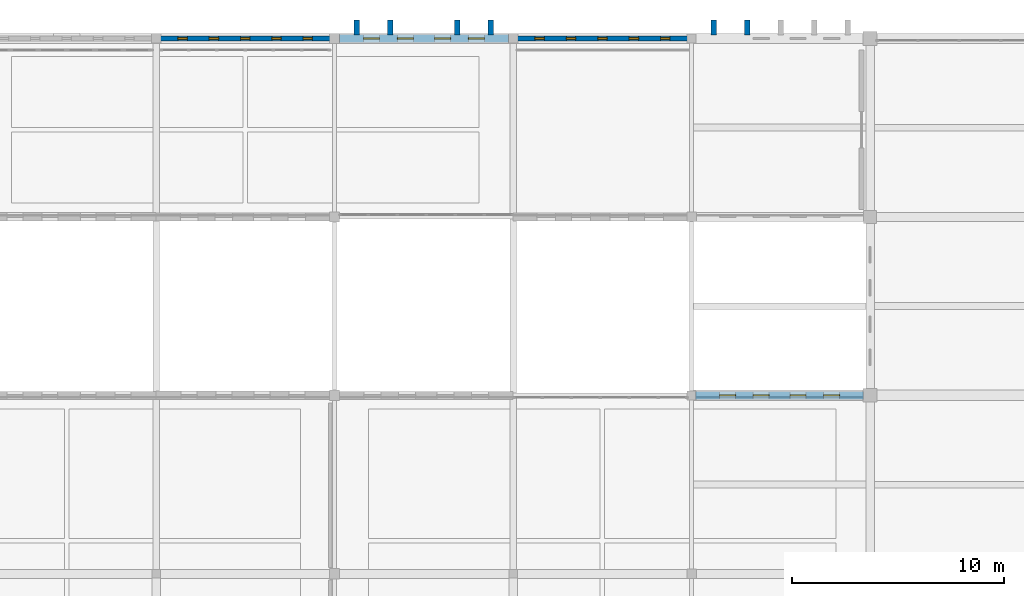
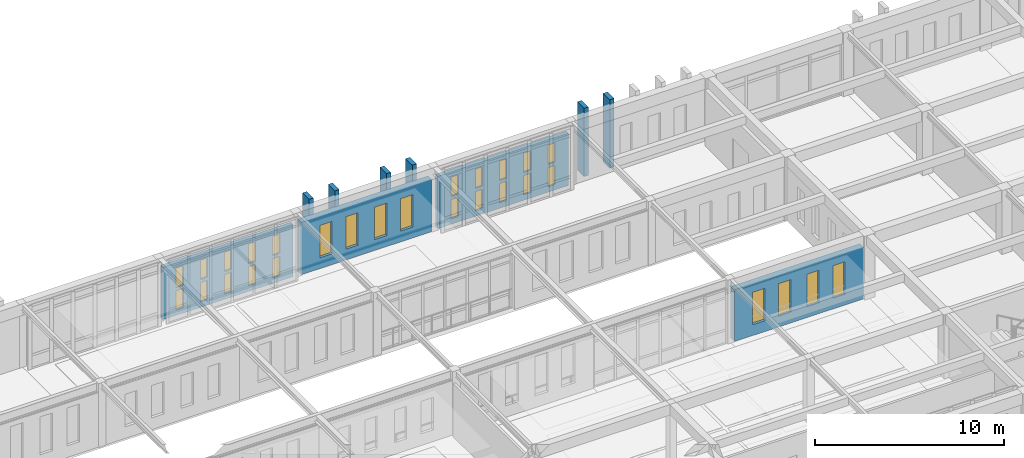
# One storey, part 173 of 192: 28 windows, 10 walls, 28 openings.
"""IFC4 building model written with IfcOpenShell, lengths in metres."""

from ifc_helpers import new_model, si_unit, direction, frame, frame_2d, origin, place, context, subcontext, project, spatial, rectangle, extrude, material, layer, layer_set, type_object, element, fill, save


model = new_model("IFC4")

# Units and contexts
model_context = context("Model", 3, precision=1e-05, world=origin(), true_north=direction((0.0, 1.0)))
body_context = subcontext(model_context, "Body", "Model", "MODEL_VIEW")
ifc_project = project(units=[si_unit("LENGTHUNIT", "METRE"), si_unit("AREAUNIT", "SQUARE_METRE"), si_unit("VOLUMEUNIT", "CUBIC_METRE"), si_unit("PLANEANGLEUNIT", "RADIAN"), si_unit("MASSUNIT", "GRAM", prefix="KILO")], contexts=[model_context])

# Site, building, storey
site_placement = place(None, origin())
site = spatial("IfcSite", under=ifc_project, at=site_placement, CompositionType="ELEMENT")
building_placement = place(site_placement, origin())
building = spatial("IfcBuilding", under=site, at=building_placement, Name="Kveldsbrygga Polytechnic", CompositionType="ELEMENT")
storey_placement = place(building_placement, frame((0.0, 0.0, 5.43994140625)))
storey = spatial("IfcBuildingStorey", under=building, at=storey_placement, Name="L01", CompositionType="ELEMENT", Elevation=5.43994140625)

# Wall, openings, windows
ifc_material_1 = material(Name="Fired clay brick masonry M10", Category="masonry")
ifc_layer_1 = layer(ifc_material_1, 0.3798828125)
ifc_layer_set_1 = layer_set([ifc_layer_1], Name="Fired clay brick masonry M10")
wall_type_1 = type_object("IfcWallType", Name="EW-BRICK-380", PredefinedType="SOLIDWALL", material=ifc_layer_set_1)
wall_1_placement = place(storey_placement, frame((75.824951171875, 117.60009765625, 0.0), z_axis=(0.0, 0.0, 1.0), x_axis=(1.0, 0.0, 0.0)))
wall_1 = element("IfcWall", 1, at=wall_1_placement, inside=storey, type_object=wall_type_1, Name="Exterior Brick Wall EW-L01-X-09-14", PredefinedType="SOLIDWALL", context=body_context, shape_type="SweptSolid", body=[
    extrude(rectangle(XDim=7.965087890625, YDim=0.3798828125, at=frame_2d((3.982421875, 0.0))), origin(), (0.0, 0.0, 1.0), 3.380126953125),
])
opening_1_placement = place(wall_1_placement, frame((1.138427734375, 0.0, 0.699951171875)))
opening_1 = element("IfcOpeningElement", 2, at=opening_1_placement, cuts=wall_1, Name="Opening W-27", PredefinedType="OPENING", context=body_context, shape_type="SweptSolid", body=[
    extrude(rectangle(XDim=0.75, YDim=2.10009765625, at=frame_2d((0.375, 1.050048828125))), frame((0.0, 0.199951171875, 0.0), z_axis=(0.0, -1.0, 0.0), x_axis=(1.0, 0.0, 0.0)), (0.0, 0.0, 1.0), 0.39990234375),
])
opening_2_placement = place(wall_1_placement, frame((2.7314453125, 0.0, 0.699951171875)))
opening_2 = element("IfcOpeningElement", 3, at=opening_2_placement, cuts=wall_1, Name="Opening W-27", PredefinedType="OPENING", context=body_context, shape_type="SweptSolid", body=[
    extrude(rectangle(XDim=0.75, YDim=2.10009765625, at=frame_2d((0.375, 1.050048828125))), frame((0.0, 0.199951171875, 0.0), z_axis=(0.0, -1.0, 0.0), x_axis=(1.0, 0.0, 0.0)), (0.0, 0.0, 1.0), 0.39990234375),
])
opening_3_placement = place(wall_1_placement, frame((4.483642578125, 0.0, 0.699951171875)))
opening_3 = element("IfcOpeningElement", 4, at=opening_3_placement, cuts=wall_1, Name="Opening W-27", PredefinedType="OPENING", context=body_context, shape_type="SweptSolid", body=[
    extrude(rectangle(XDim=0.75, YDim=2.10009765625, at=frame_2d((0.375, 1.050048828125))), frame((0.0, 0.199951171875, 0.0), z_axis=(0.0, -1.0, 0.0), x_axis=(1.0, 0.0, 0.0)), (0.0, 0.0, 1.0), 0.39990234375),
])
opening_4_placement = place(wall_1_placement, frame((6.07666015625, 0.0, 0.699951171875)))
opening_4 = element("IfcOpeningElement", 5, at=opening_4_placement, cuts=wall_1, Name="Opening W-27", PredefinedType="OPENING", context=body_context, shape_type="SweptSolid", body=[
    extrude(rectangle(XDim=0.75, YDim=2.10009765625, at=frame_2d((0.375, 1.050048828125))), frame((0.0, 0.199951171875, 0.0), z_axis=(0.0, -1.0, 0.0), x_axis=(1.0, 0.0, 0.0)), (0.0, 0.0, 1.0), 0.39990234375),
])
ifc_material_2 = material(Name="Insulated triple low-E glass", Category="glass")
window_type_1 = type_object("IfcWindowType", Name="WN-ATTIC-075x210", PartitioningType="DOUBLE_PANEL_VERTICAL", PredefinedType="WINDOW", material=ifc_material_2)
window_1_placement = place(opening_1_placement, origin())
window_1 = element("IfcWindow", 6, at=window_1_placement, inside=storey, type_object=window_type_1, Name="Gothic Lancet Window WIN-L01-X-09-14-1", OverallHeight=2.10009765625, OverallWidth=0.75, PartitioningType="DOUBLE_PANEL_VERTICAL", PredefinedType="WINDOW", context=body_context, shape_type="SweptSolid", body=[
    extrude(rectangle(XDim=0.75, YDim=2.10009765625, at=frame_2d((0.375, 1.050048828125))), frame((0.0, 0.030029296875, 0.0), z_axis=(0.0, -1.0, 0.0), x_axis=(1.0, 0.0, 0.0)), (0.0, 0.0, 1.0), 0.06005859375),
])
fill(opening_1, window_1)
window_2_placement = place(opening_2_placement, origin())
window_2 = element("IfcWindow", 7, at=window_2_placement, inside=storey, type_object=window_type_1, Name="Gothic Lancet Window WIN-L01-X-09-14-2", OverallHeight=2.10009765625, OverallWidth=0.75, PartitioningType="DOUBLE_PANEL_VERTICAL", PredefinedType="WINDOW", context=body_context, shape_type="SweptSolid", body=[
    extrude(rectangle(XDim=0.75, YDim=2.10009765625, at=frame_2d((0.375, 1.050048828125))), frame((0.0, 0.030029296875, 0.0), z_axis=(0.0, -1.0, 0.0), x_axis=(1.0, 0.0, 0.0)), (0.0, 0.0, 1.0), 0.06005859375),
])
fill(opening_2, window_2)
window_3_placement = place(opening_3_placement, origin())
window_3 = element("IfcWindow", 8, at=window_3_placement, inside=storey, type_object=window_type_1, Name="Gothic Lancet Window WIN-L01-X-09-14-3", OverallHeight=2.10009765625, OverallWidth=0.75, PartitioningType="DOUBLE_PANEL_VERTICAL", PredefinedType="WINDOW", context=body_context, shape_type="SweptSolid", body=[
    extrude(rectangle(XDim=0.75, YDim=2.10009765625, at=frame_2d((0.375, 1.050048828125))), frame((0.0, 0.030029296875, 0.0), z_axis=(0.0, -1.0, 0.0), x_axis=(1.0, 0.0, 0.0)), (0.0, 0.0, 1.0), 0.06005859375),
])
fill(opening_3, window_3)
window_4_placement = place(opening_4_placement, origin())
window_4 = element("IfcWindow", 9, at=window_4_placement, inside=storey, type_object=window_type_1, Name="Gothic Lancet Window WIN-L01-X-09-14-4", OverallHeight=2.10009765625, OverallWidth=0.75, PartitioningType="DOUBLE_PANEL_VERTICAL", PredefinedType="WINDOW", context=body_context, shape_type="SweptSolid", body=[
    extrude(rectangle(XDim=0.75, YDim=2.10009765625, at=frame_2d((0.375, 1.050048828125))), frame((0.0, 0.030029296875, 0.0), z_axis=(0.0, -1.0, 0.0), x_axis=(1.0, 0.0, 0.0)), (0.0, 0.0, 1.0), 0.06005859375),
])
fill(opening_4, window_4)

wall_2_placement = place(storey_placement, frame((92.594970703125, 100.800048828125, 0.0), z_axis=(0.0, 0.0, 1.0), x_axis=(1.0, 0.0, 0.0)))
wall_2 = element("IfcWall", 10, at=wall_2_placement, inside=storey, type_object=wall_type_1, Name="Exterior Brick Wall EW-L01-X-11-12", PredefinedType="SOLIDWALL", context=body_context, shape_type="SweptSolid", body=[
    extrude(rectangle(XDim=7.89501953125, YDim=0.3798828125, at=frame_2d((3.947509765625, 0.0))), origin(), (0.0, 0.0, 1.0), 3.340087890625),
])
opening_5_placement = place(wall_2_placement, frame((1.125, 0.0, 0.699951171875)))
opening_5 = element("IfcOpeningElement", 11, at=opening_5_placement, cuts=wall_2, Name="Opening W-27", PredefinedType="OPENING", context=body_context, shape_type="SweptSolid", body=[
    extrude(rectangle(XDim=0.75, YDim=2.10009765625, at=frame_2d((0.375, 1.050048828125))), frame((0.0, 0.199951171875, 0.0), z_axis=(0.0, -1.0, 0.0), x_axis=(1.0, 0.0, 0.0)), (0.0, 0.0, 1.0), 0.39990234375),
])
opening_6_placement = place(wall_2_placement, frame((2.7041015625, 0.0, 0.699951171875)))
opening_6 = element("IfcOpeningElement", 12, at=opening_6_placement, cuts=wall_2, Name="Opening W-27", PredefinedType="OPENING", context=body_context, shape_type="SweptSolid", body=[
    extrude(rectangle(XDim=0.75, YDim=2.10009765625, at=frame_2d((0.375, 1.050048828125))), frame((0.0, 0.199951171875, 0.0), z_axis=(0.0, -1.0, 0.0), x_axis=(1.0, 0.0, 0.0)), (0.0, 0.0, 1.0), 0.39990234375),
])
opening_7_placement = place(wall_2_placement, frame((4.44091796875, 0.0, 0.699951171875)))
opening_7 = element("IfcOpeningElement", 13, at=opening_7_placement, cuts=wall_2, Name="Opening W-27", PredefinedType="OPENING", context=body_context, shape_type="SweptSolid", body=[
    extrude(rectangle(XDim=0.75, YDim=2.10009765625, at=frame_2d((0.375, 1.050048828125))), frame((0.0, 0.199951171875, 0.0), z_axis=(0.0, -1.0, 0.0), x_axis=(1.0, 0.0, 0.0)), (0.0, 0.0, 1.0), 0.39990234375),
])
opening_8_placement = place(wall_2_placement, frame((6.02001953125, 0.0, 0.699951171875)))
opening_8 = element("IfcOpeningElement", 14, at=opening_8_placement, cuts=wall_2, Name="Opening W-27", PredefinedType="OPENING", context=body_context, shape_type="SweptSolid", body=[
    extrude(rectangle(XDim=0.75, YDim=2.10009765625, at=frame_2d((0.375, 1.050048828125))), frame((0.0, 0.199951171875, 0.0), z_axis=(0.0, -1.0, 0.0), x_axis=(1.0, 0.0, 0.0)), (0.0, 0.0, 1.0), 0.39990234375),
])
window_5_placement = place(opening_5_placement, origin())
window_5 = element("IfcWindow", 15, at=window_5_placement, inside=storey, type_object=window_type_1, Name="Gothic Lancet Window WIN-L01-X-11-12-1", OverallHeight=2.10009765625, OverallWidth=0.75, PartitioningType="DOUBLE_PANEL_VERTICAL", PredefinedType="WINDOW", context=body_context, shape_type="SweptSolid", body=[
    extrude(rectangle(XDim=0.75, YDim=2.10009765625, at=frame_2d((0.375, 1.050048828125))), frame((0.0, 0.030029296875, 0.0), z_axis=(0.0, -1.0, 0.0), x_axis=(1.0, 0.0, 0.0)), (0.0, 0.0, 1.0), 0.06005859375),
])
fill(opening_5, window_5)
window_6_placement = place(opening_6_placement, origin())
window_6 = element("IfcWindow", 16, at=window_6_placement, inside=storey, type_object=window_type_1, Name="Gothic Lancet Window WIN-L01-X-11-12-2", OverallHeight=2.10009765625, OverallWidth=0.75, PartitioningType="DOUBLE_PANEL_VERTICAL", PredefinedType="WINDOW", context=body_context, shape_type="SweptSolid", body=[
    extrude(rectangle(XDim=0.75, YDim=2.10009765625, at=frame_2d((0.375, 1.050048828125))), frame((0.0, 0.030029296875, 0.0), z_axis=(0.0, -1.0, 0.0), x_axis=(1.0, 0.0, 0.0)), (0.0, 0.0, 1.0), 0.06005859375),
])
fill(opening_6, window_6)
window_7_placement = place(opening_7_placement, origin())
window_7 = element("IfcWindow", 17, at=window_7_placement, inside=storey, type_object=window_type_1, Name="Gothic Lancet Window WIN-L01-X-11-12-3", OverallHeight=2.10009765625, OverallWidth=0.75, PartitioningType="DOUBLE_PANEL_VERTICAL", PredefinedType="WINDOW", context=body_context, shape_type="SweptSolid", body=[
    extrude(rectangle(XDim=0.75, YDim=2.10009765625, at=frame_2d((0.375, 1.050048828125))), frame((0.0, 0.030029296875, 0.0), z_axis=(0.0, -1.0, 0.0), x_axis=(1.0, 0.0, 0.0)), (0.0, 0.0, 1.0), 0.06005859375),
])
fill(opening_7, window_7)
window_8_placement = place(opening_8_placement, origin())
window_8 = element("IfcWindow", 18, at=window_8_placement, inside=storey, type_object=window_type_1, Name="Gothic Lancet Window WIN-L01-X-11-12-4", OverallHeight=2.10009765625, OverallWidth=0.75, PartitioningType="DOUBLE_PANEL_VERTICAL", PredefinedType="WINDOW", context=body_context, shape_type="SweptSolid", body=[
    extrude(rectangle(XDim=0.75, YDim=2.10009765625, at=frame_2d((0.375, 1.050048828125))), frame((0.0, 0.030029296875, 0.0), z_axis=(0.0, -1.0, 0.0), x_axis=(1.0, 0.0, 0.0)), (0.0, 0.0, 1.0), 0.06005859375),
])
fill(opening_8, window_8)

# Walls
ifc_layer_2 = layer(ifc_material_1, 0.260009765625)
ifc_layer_set_2 = layer_set([ifc_layer_2], Name="Fired clay brick masonry M10")
wall_type_2 = type_object("IfcWallType", Name="EW-BUTT-260", PredefinedType="SOLIDWALL", material=ifc_layer_set_2)
for number, where, z_axis, x_axis, name in (
    (19, (76.64990234375, 117.764892578125, 0.0), (0.0, 0.0, 1.0), (0.0, 1.0, 0.0), "Gothic Brick Buttress Pier BUTT-L01-X-09-14-1"),
    (20, (78.219970703125, 117.764892578125, 0.0), (0.0, 0.0, 1.0), (0.0, 1.0, 0.0), "Gothic Brick Buttress Pier BUTT-L01-X-09-14-2"),
    (21, (81.3798828125, 117.764892578125, 0.0), (0.0, 0.0, 1.0), (0.0, 1.0, 0.0), "Gothic Brick Buttress Pier BUTT-L01-X-09-14-4"),
    (22, (82.949951171875, 117.764892578125, 0.0), (0.0, 0.0, 1.0), (0.0, 1.0, 0.0), "Gothic Brick Buttress Pier BUTT-L01-X-09-14-5"),
    (23, (93.449951171875, 117.764892578125, 0.0), (0.0, 0.0, 1.0), (0.0, 1.0, 0.0), "Gothic Brick Buttress Pier BUTT-L01-X-11-14-1"),
    (24, (95.02001953125, 117.764892578125, 0.0), (0.0, 0.0, 1.0), (0.0, 1.0, 0.0), "Gothic Brick Buttress Pier BUTT-L01-X-11-14-2"),
):
    element("IfcWall", number, at=place(storey_placement, frame(where, z_axis=z_axis, x_axis=x_axis)), inside=storey, type_object=wall_type_2, Name=name, PredefinedType="SOLIDWALL", context=body_context, shape_type="SweptSolid", body=[
        extrude(rectangle(XDim=0.7001953125, YDim=0.260009765625, at=frame_2d((0.35009765625, 0.0))), origin(), (0.0, 0.0, 1.0), 4.420166015625),
    ])

# Wall, openings, windows
ifc_layer_3 = layer(ifc_material_1, 0.239990234375)
ifc_layer_set_3 = layer_set([ifc_layer_3], Name="Fired clay brick masonry M10")
wall_type_3 = type_object("IfcWallType", Name="EW-SCRN-240", PredefinedType="SOLIDWALL", material=ifc_layer_set_3)
wall_3_placement = place(storey_placement, frame((67.409912109375, 117.60009765625, 0.0), z_axis=(0.0, 0.0, 1.0), x_axis=(1.0, 0.0, 0.0)))
wall_3 = element("IfcWall", 25, at=wall_3_placement, inside=storey, type_object=wall_type_3, Name="Perforated Brick Corridor Screen Wall SCRW-L01-X-08-14", PredefinedType="SOLIDWALL", context=body_context, shape_type="SweptSolid", body=[
    extrude(rectangle(XDim=7.965087890625, YDim=0.239990234375, at=frame_2d((3.982421875, 0.0))), origin(), (0.0, 0.0, 1.0), 3.380126953125),
])
opening_9_placement = place(wall_3_placement, frame((0.81640625, 0.0, 0.35009765625)))
opening_9 = element("IfcOpeningElement", 26, at=opening_9_placement, cuts=wall_3, Name="Opening W-48", PredefinedType="OPENING", context=body_context, shape_type="SweptSolid", body=[
    extrude(rectangle(XDim=0.43994140625, YDim=1.25, at=frame_2d((0.219970703125, 0.625))), frame((0.0, 0.1298828125, 0.0), z_axis=(0.0, -1.0, 0.0), x_axis=(1.0, 0.0, 0.0)), (0.0, 0.0, 1.0), 0.260009765625),
])
opening_10_placement = place(wall_3_placement, frame((2.28955078125, 0.0, 0.35009765625)))
opening_10 = element("IfcOpeningElement", 27, at=opening_10_placement, cuts=wall_3, Name="Opening W-48", PredefinedType="OPENING", context=body_context, shape_type="SweptSolid", body=[
    extrude(rectangle(XDim=0.43994140625, YDim=1.25, at=frame_2d((0.219970703125, 0.625))), frame((0.0, 0.1298828125, 0.0), z_axis=(0.0, -1.0, 0.0), x_axis=(1.0, 0.0, 0.0)), (0.0, 0.0, 1.0), 0.260009765625),
])
opening_11_placement = place(wall_3_placement, frame((3.762451171875, 0.0, 0.35009765625)))
opening_11 = element("IfcOpeningElement", 28, at=opening_11_placement, cuts=wall_3, Name="Opening W-48", PredefinedType="OPENING", context=body_context, shape_type="SweptSolid", body=[
    extrude(rectangle(XDim=0.43994140625, YDim=1.25, at=frame_2d((0.219970703125, 0.625))), frame((0.0, 0.1298828125, 0.0), z_axis=(0.0, -1.0, 0.0), x_axis=(1.0, 0.0, 0.0)), (0.0, 0.0, 1.0), 0.260009765625),
])
opening_12_placement = place(wall_3_placement, frame((5.235595703125, 0.0, 0.35009765625)))
opening_12 = element("IfcOpeningElement", 29, at=opening_12_placement, cuts=wall_3, Name="Opening W-48", PredefinedType="OPENING", context=body_context, shape_type="SweptSolid", body=[
    extrude(rectangle(XDim=0.43994140625, YDim=1.25, at=frame_2d((0.219970703125, 0.625))), frame((0.0, 0.1298828125, 0.0), z_axis=(0.0, -1.0, 0.0), x_axis=(1.0, 0.0, 0.0)), (0.0, 0.0, 1.0), 0.260009765625),
])
opening_13_placement = place(wall_3_placement, frame((6.70849609375, 0.0, 0.35009765625)))
opening_13 = element("IfcOpeningElement", 30, at=opening_13_placement, cuts=wall_3, Name="Opening W-48", PredefinedType="OPENING", context=body_context, shape_type="SweptSolid", body=[
    extrude(rectangle(XDim=0.43994140625, YDim=1.25, at=frame_2d((0.219970703125, 0.625))), frame((0.0, 0.1298828125, 0.0), z_axis=(0.0, -1.0, 0.0), x_axis=(1.0, 0.0, 0.0)), (0.0, 0.0, 1.0), 0.260009765625),
])
opening_14_placement = place(wall_3_placement, frame((0.81640625, 0.0, 1.800048828125)))
opening_14 = element("IfcOpeningElement", 31, at=opening_14_placement, cuts=wall_3, Name="Opening W-48", PredefinedType="OPENING", context=body_context, shape_type="SweptSolid", body=[
    extrude(rectangle(XDim=0.43994140625, YDim=1.25, at=frame_2d((0.219970703125, 0.625))), frame((0.0, 0.1298828125, 0.0), z_axis=(0.0, -1.0, 0.0), x_axis=(1.0, 0.0, 0.0)), (0.0, 0.0, 1.0), 0.260009765625),
])
opening_15_placement = place(wall_3_placement, frame((2.28955078125, 0.0, 1.800048828125)))
opening_15 = element("IfcOpeningElement", 32, at=opening_15_placement, cuts=wall_3, Name="Opening W-48", PredefinedType="OPENING", context=body_context, shape_type="SweptSolid", body=[
    extrude(rectangle(XDim=0.43994140625, YDim=1.25, at=frame_2d((0.219970703125, 0.625))), frame((0.0, 0.1298828125, 0.0), z_axis=(0.0, -1.0, 0.0), x_axis=(1.0, 0.0, 0.0)), (0.0, 0.0, 1.0), 0.260009765625),
])
opening_16_placement = place(wall_3_placement, frame((3.762451171875, 0.0, 1.800048828125)))
opening_16 = element("IfcOpeningElement", 33, at=opening_16_placement, cuts=wall_3, Name="Opening W-48", PredefinedType="OPENING", context=body_context, shape_type="SweptSolid", body=[
    extrude(rectangle(XDim=0.43994140625, YDim=1.25, at=frame_2d((0.219970703125, 0.625))), frame((0.0, 0.1298828125, 0.0), z_axis=(0.0, -1.0, 0.0), x_axis=(1.0, 0.0, 0.0)), (0.0, 0.0, 1.0), 0.260009765625),
])
opening_17_placement = place(wall_3_placement, frame((5.235595703125, 0.0, 1.800048828125)))
opening_17 = element("IfcOpeningElement", 34, at=opening_17_placement, cuts=wall_3, Name="Opening W-48", PredefinedType="OPENING", context=body_context, shape_type="SweptSolid", body=[
    extrude(rectangle(XDim=0.43994140625, YDim=1.25, at=frame_2d((0.219970703125, 0.625))), frame((0.0, 0.1298828125, 0.0), z_axis=(0.0, -1.0, 0.0), x_axis=(1.0, 0.0, 0.0)), (0.0, 0.0, 1.0), 0.260009765625),
])
opening_18_placement = place(wall_3_placement, frame((6.70849609375, 0.0, 1.800048828125)))
opening_18 = element("IfcOpeningElement", 35, at=opening_18_placement, cuts=wall_3, Name="Opening W-48", PredefinedType="OPENING", context=body_context, shape_type="SweptSolid", body=[
    extrude(rectangle(XDim=0.43994140625, YDim=1.25, at=frame_2d((0.219970703125, 0.625))), frame((0.0, 0.1298828125, 0.0), z_axis=(0.0, -1.0, 0.0), x_axis=(1.0, 0.0, 0.0)), (0.0, 0.0, 1.0), 0.260009765625),
])
window_type_2 = type_object("IfcWindowType", Name="WN-SCRN-044x125", PartitioningType="SINGLE_PANEL", PredefinedType="WINDOW", material=ifc_material_2)
window_9_placement = place(opening_9_placement, origin())
window_9 = element("IfcWindow", 36, at=window_9_placement, inside=storey, type_object=window_type_2, Name="Perforated Screen Aperture L01-X-08-14-1", OverallHeight=1.25, OverallWidth=0.43994140625, PartitioningType="SINGLE_PANEL", PredefinedType="WINDOW", context=body_context, shape_type="SweptSolid", body=[
    extrude(rectangle(XDim=0.43994140625, YDim=1.25, at=frame_2d((0.219970703125, 0.625))), frame((0.0, 0.030029296875, 0.0), z_axis=(0.0, -1.0, 0.0), x_axis=(1.0, 0.0, 0.0)), (0.0, 0.0, 1.0), 0.06005859375),
])
fill(opening_9, window_9)
window_10_placement = place(opening_10_placement, origin())
window_10 = element("IfcWindow", 37, at=window_10_placement, inside=storey, type_object=window_type_2, Name="Perforated Screen Aperture L01-X-08-14-2", OverallHeight=1.25, OverallWidth=0.43994140625, PartitioningType="SINGLE_PANEL", PredefinedType="WINDOW", context=body_context, shape_type="SweptSolid", body=[
    extrude(rectangle(XDim=0.43994140625, YDim=1.25, at=frame_2d((0.219970703125, 0.625))), frame((0.0, 0.030029296875, 0.0), z_axis=(0.0, -1.0, 0.0), x_axis=(1.0, 0.0, 0.0)), (0.0, 0.0, 1.0), 0.06005859375),
])
fill(opening_10, window_10)
window_11_placement = place(opening_11_placement, origin())
window_11 = element("IfcWindow", 38, at=window_11_placement, inside=storey, type_object=window_type_2, Name="Perforated Screen Aperture L01-X-08-14-3", OverallHeight=1.25, OverallWidth=0.43994140625, PartitioningType="SINGLE_PANEL", PredefinedType="WINDOW", context=body_context, shape_type="SweptSolid", body=[
    extrude(rectangle(XDim=0.43994140625, YDim=1.25, at=frame_2d((0.219970703125, 0.625))), frame((0.0, 0.030029296875, 0.0), z_axis=(0.0, -1.0, 0.0), x_axis=(1.0, 0.0, 0.0)), (0.0, 0.0, 1.0), 0.06005859375),
])
fill(opening_11, window_11)
window_12_placement = place(opening_12_placement, origin())
window_12 = element("IfcWindow", 39, at=window_12_placement, inside=storey, type_object=window_type_2, Name="Perforated Screen Aperture L01-X-08-14-4", OverallHeight=1.25, OverallWidth=0.43994140625, PartitioningType="SINGLE_PANEL", PredefinedType="WINDOW", context=body_context, shape_type="SweptSolid", body=[
    extrude(rectangle(XDim=0.43994140625, YDim=1.25, at=frame_2d((0.219970703125, 0.625))), frame((0.0, 0.030029296875, 0.0), z_axis=(0.0, -1.0, 0.0), x_axis=(1.0, 0.0, 0.0)), (0.0, 0.0, 1.0), 0.06005859375),
])
fill(opening_12, window_12)
window_13_placement = place(opening_13_placement, origin())
window_13 = element("IfcWindow", 40, at=window_13_placement, inside=storey, type_object=window_type_2, Name="Perforated Screen Aperture L01-X-08-14-5", OverallHeight=1.25, OverallWidth=0.43994140625, PartitioningType="SINGLE_PANEL", PredefinedType="WINDOW", context=body_context, shape_type="SweptSolid", body=[
    extrude(rectangle(XDim=0.43994140625, YDim=1.25, at=frame_2d((0.219970703125, 0.625))), frame((0.0, 0.030029296875, 0.0), z_axis=(0.0, -1.0, 0.0), x_axis=(1.0, 0.0, 0.0)), (0.0, 0.0, 1.0), 0.06005859375),
])
fill(opening_13, window_13)
window_14_placement = place(opening_14_placement, origin())
window_14 = element("IfcWindow", 41, at=window_14_placement, inside=storey, type_object=window_type_2, Name="Perforated Screen Aperture L01-X-08-14-6", OverallHeight=1.25, OverallWidth=0.43994140625, PartitioningType="SINGLE_PANEL", PredefinedType="WINDOW", context=body_context, shape_type="SweptSolid", body=[
    extrude(rectangle(XDim=0.43994140625, YDim=1.25, at=frame_2d((0.219970703125, 0.625))), frame((0.0, 0.030029296875, 0.0), z_axis=(0.0, -1.0, 0.0), x_axis=(1.0, 0.0, 0.0)), (0.0, 0.0, 1.0), 0.06005859375),
])
fill(opening_14, window_14)
window_15_placement = place(opening_15_placement, origin())
window_15 = element("IfcWindow", 42, at=window_15_placement, inside=storey, type_object=window_type_2, Name="Perforated Screen Aperture L01-X-08-14-7", OverallHeight=1.25, OverallWidth=0.43994140625, PartitioningType="SINGLE_PANEL", PredefinedType="WINDOW", context=body_context, shape_type="SweptSolid", body=[
    extrude(rectangle(XDim=0.43994140625, YDim=1.25, at=frame_2d((0.219970703125, 0.625))), frame((0.0, 0.030029296875, 0.0), z_axis=(0.0, -1.0, 0.0), x_axis=(1.0, 0.0, 0.0)), (0.0, 0.0, 1.0), 0.06005859375),
])
fill(opening_15, window_15)
window_16_placement = place(opening_16_placement, origin())
window_16 = element("IfcWindow", 43, at=window_16_placement, inside=storey, type_object=window_type_2, Name="Perforated Screen Aperture L01-X-08-14-8", OverallHeight=1.25, OverallWidth=0.43994140625, PartitioningType="SINGLE_PANEL", PredefinedType="WINDOW", context=body_context, shape_type="SweptSolid", body=[
    extrude(rectangle(XDim=0.43994140625, YDim=1.25, at=frame_2d((0.219970703125, 0.625))), frame((0.0, 0.030029296875, 0.0), z_axis=(0.0, -1.0, 0.0), x_axis=(1.0, 0.0, 0.0)), (0.0, 0.0, 1.0), 0.06005859375),
])
fill(opening_16, window_16)
window_17_placement = place(opening_17_placement, origin())
window_17 = element("IfcWindow", 44, at=window_17_placement, inside=storey, type_object=window_type_2, Name="Perforated Screen Aperture L01-X-08-14-9", OverallHeight=1.25, OverallWidth=0.43994140625, PartitioningType="SINGLE_PANEL", PredefinedType="WINDOW", context=body_context, shape_type="SweptSolid", body=[
    extrude(rectangle(XDim=0.43994140625, YDim=1.25, at=frame_2d((0.219970703125, 0.625))), frame((0.0, 0.030029296875, 0.0), z_axis=(0.0, -1.0, 0.0), x_axis=(1.0, 0.0, 0.0)), (0.0, 0.0, 1.0), 0.06005859375),
])
fill(opening_17, window_17)
window_18_placement = place(opening_18_placement, origin())
window_18 = element("IfcWindow", 45, at=window_18_placement, inside=storey, type_object=window_type_2, Name="Perforated Screen Aperture L01-X-08-14-10", OverallHeight=1.25, OverallWidth=0.43994140625, PartitioningType="SINGLE_PANEL", PredefinedType="WINDOW", context=body_context, shape_type="SweptSolid", body=[
    extrude(rectangle(XDim=0.43994140625, YDim=1.25, at=frame_2d((0.219970703125, 0.625))), frame((0.0, 0.030029296875, 0.0), z_axis=(0.0, -1.0, 0.0), x_axis=(1.0, 0.0, 0.0)), (0.0, 0.0, 1.0), 0.06005859375),
])
fill(opening_18, window_18)

wall_4_placement = place(storey_placement, frame((84.2099609375, 117.60009765625, 0.0), z_axis=(0.0, 0.0, 1.0), x_axis=(1.0, 0.0, 0.0)))
wall_4 = element("IfcWall", 46, at=wall_4_placement, inside=storey, type_object=wall_type_3, Name="Perforated Brick Corridor Screen Wall SCRW-L01-X-10-14", PredefinedType="SOLIDWALL", context=body_context, shape_type="SweptSolid", body=[
    extrude(rectangle(XDim=7.9951171875, YDim=0.239990234375, at=frame_2d((3.99755859375, 0.0))), origin(), (0.0, 0.0, 1.0), 3.380126953125),
])
opening_19_placement = place(wall_4_placement, frame((0.819580078125, 0.0, 0.35009765625)))
opening_19 = element("IfcOpeningElement", 47, at=opening_19_placement, cuts=wall_4, Name="Opening W-48", PredefinedType="OPENING", context=body_context, shape_type="SweptSolid", body=[
    extrude(rectangle(XDim=0.43994140625, YDim=1.25, at=frame_2d((0.219970703125, 0.625))), frame((0.0, 0.1298828125, 0.0), z_axis=(0.0, -1.0, 0.0), x_axis=(1.0, 0.0, 0.0)), (0.0, 0.0, 1.0), 0.260009765625),
])
opening_20_placement = place(wall_4_placement, frame((2.298583984375, 0.0, 0.35009765625)))
opening_20 = element("IfcOpeningElement", 48, at=opening_20_placement, cuts=wall_4, Name="Opening W-48", PredefinedType="OPENING", context=body_context, shape_type="SweptSolid", body=[
    extrude(rectangle(XDim=0.43994140625, YDim=1.25, at=frame_2d((0.219970703125, 0.625))), frame((0.0, 0.1298828125, 0.0), z_axis=(0.0, -1.0, 0.0), x_axis=(1.0, 0.0, 0.0)), (0.0, 0.0, 1.0), 0.260009765625),
])
opening_21_placement = place(wall_4_placement, frame((3.777587890625, 0.0, 0.35009765625)))
opening_21 = element("IfcOpeningElement", 49, at=opening_21_placement, cuts=wall_4, Name="Opening W-48", PredefinedType="OPENING", context=body_context, shape_type="SweptSolid", body=[
    extrude(rectangle(XDim=0.43994140625, YDim=1.25, at=frame_2d((0.219970703125, 0.625))), frame((0.0, 0.1298828125, 0.0), z_axis=(0.0, -1.0, 0.0), x_axis=(1.0, 0.0, 0.0)), (0.0, 0.0, 1.0), 0.260009765625),
])
opening_22_placement = place(wall_4_placement, frame((5.256591796875, 0.0, 0.35009765625)))
opening_22 = element("IfcOpeningElement", 50, at=opening_22_placement, cuts=wall_4, Name="Opening W-48", PredefinedType="OPENING", context=body_context, shape_type="SweptSolid", body=[
    extrude(rectangle(XDim=0.43994140625, YDim=1.25, at=frame_2d((0.219970703125, 0.625))), frame((0.0, 0.1298828125, 0.0), z_axis=(0.0, -1.0, 0.0), x_axis=(1.0, 0.0, 0.0)), (0.0, 0.0, 1.0), 0.260009765625),
])
opening_23_placement = place(wall_4_placement, frame((6.735595703125, 0.0, 0.35009765625)))
opening_23 = element("IfcOpeningElement", 51, at=opening_23_placement, cuts=wall_4, Name="Opening W-48", PredefinedType="OPENING", context=body_context, shape_type="SweptSolid", body=[
    extrude(rectangle(XDim=0.43994140625, YDim=1.25, at=frame_2d((0.219970703125, 0.625))), frame((0.0, 0.1298828125, 0.0), z_axis=(0.0, -1.0, 0.0), x_axis=(1.0, 0.0, 0.0)), (0.0, 0.0, 1.0), 0.260009765625),
])
opening_24_placement = place(wall_4_placement, frame((0.819580078125, 0.0, 1.800048828125)))
opening_24 = element("IfcOpeningElement", 52, at=opening_24_placement, cuts=wall_4, Name="Opening W-48", PredefinedType="OPENING", context=body_context, shape_type="SweptSolid", body=[
    extrude(rectangle(XDim=0.43994140625, YDim=1.25, at=frame_2d((0.219970703125, 0.625))), frame((0.0, 0.1298828125, 0.0), z_axis=(0.0, -1.0, 0.0), x_axis=(1.0, 0.0, 0.0)), (0.0, 0.0, 1.0), 0.260009765625),
])
opening_25_placement = place(wall_4_placement, frame((2.298583984375, 0.0, 1.800048828125)))
opening_25 = element("IfcOpeningElement", 53, at=opening_25_placement, cuts=wall_4, Name="Opening W-48", PredefinedType="OPENING", context=body_context, shape_type="SweptSolid", body=[
    extrude(rectangle(XDim=0.43994140625, YDim=1.25, at=frame_2d((0.219970703125, 0.625))), frame((0.0, 0.1298828125, 0.0), z_axis=(0.0, -1.0, 0.0), x_axis=(1.0, 0.0, 0.0)), (0.0, 0.0, 1.0), 0.260009765625),
])
opening_26_placement = place(wall_4_placement, frame((3.777587890625, 0.0, 1.800048828125)))
opening_26 = element("IfcOpeningElement", 54, at=opening_26_placement, cuts=wall_4, Name="Opening W-48", PredefinedType="OPENING", context=body_context, shape_type="SweptSolid", body=[
    extrude(rectangle(XDim=0.43994140625, YDim=1.25, at=frame_2d((0.219970703125, 0.625))), frame((0.0, 0.1298828125, 0.0), z_axis=(0.0, -1.0, 0.0), x_axis=(1.0, 0.0, 0.0)), (0.0, 0.0, 1.0), 0.260009765625),
])
opening_27_placement = place(wall_4_placement, frame((5.256591796875, 0.0, 1.800048828125)))
opening_27 = element("IfcOpeningElement", 55, at=opening_27_placement, cuts=wall_4, Name="Opening W-48", PredefinedType="OPENING", context=body_context, shape_type="SweptSolid", body=[
    extrude(rectangle(XDim=0.43994140625, YDim=1.25, at=frame_2d((0.219970703125, 0.625))), frame((0.0, 0.1298828125, 0.0), z_axis=(0.0, -1.0, 0.0), x_axis=(1.0, 0.0, 0.0)), (0.0, 0.0, 1.0), 0.260009765625),
])
opening_28_placement = place(wall_4_placement, frame((6.735595703125, 0.0, 1.800048828125)))
opening_28 = element("IfcOpeningElement", 56, at=opening_28_placement, cuts=wall_4, Name="Opening W-48", PredefinedType="OPENING", context=body_context, shape_type="SweptSolid", body=[
    extrude(rectangle(XDim=0.43994140625, YDim=1.25, at=frame_2d((0.219970703125, 0.625))), frame((0.0, 0.1298828125, 0.0), z_axis=(0.0, -1.0, 0.0), x_axis=(1.0, 0.0, 0.0)), (0.0, 0.0, 1.0), 0.260009765625),
])
window_19_placement = place(opening_19_placement, origin())
window_19 = element("IfcWindow", 57, at=window_19_placement, inside=storey, type_object=window_type_2, Name="Perforated Screen Aperture L01-X-10-14-1", OverallHeight=1.25, OverallWidth=0.43994140625, PartitioningType="SINGLE_PANEL", PredefinedType="WINDOW", context=body_context, shape_type="SweptSolid", body=[
    extrude(rectangle(XDim=0.43994140625, YDim=1.25, at=frame_2d((0.219970703125, 0.625))), frame((0.0, 0.030029296875, 0.0), z_axis=(0.0, -1.0, 0.0), x_axis=(1.0, 0.0, 0.0)), (0.0, 0.0, 1.0), 0.06005859375),
])
fill(opening_19, window_19)
window_20_placement = place(opening_20_placement, origin())
window_20 = element("IfcWindow", 58, at=window_20_placement, inside=storey, type_object=window_type_2, Name="Perforated Screen Aperture L01-X-10-14-2", OverallHeight=1.25, OverallWidth=0.43994140625, PartitioningType="SINGLE_PANEL", PredefinedType="WINDOW", context=body_context, shape_type="SweptSolid", body=[
    extrude(rectangle(XDim=0.43994140625, YDim=1.25, at=frame_2d((0.219970703125, 0.625))), frame((0.0, 0.030029296875, 0.0), z_axis=(0.0, -1.0, 0.0), x_axis=(1.0, 0.0, 0.0)), (0.0, 0.0, 1.0), 0.06005859375),
])
fill(opening_20, window_20)
window_21_placement = place(opening_21_placement, origin())
window_21 = element("IfcWindow", 59, at=window_21_placement, inside=storey, type_object=window_type_2, Name="Perforated Screen Aperture L01-X-10-14-3", OverallHeight=1.25, OverallWidth=0.43994140625, PartitioningType="SINGLE_PANEL", PredefinedType="WINDOW", context=body_context, shape_type="SweptSolid", body=[
    extrude(rectangle(XDim=0.43994140625, YDim=1.25, at=frame_2d((0.219970703125, 0.625))), frame((0.0, 0.030029296875, 0.0), z_axis=(0.0, -1.0, 0.0), x_axis=(1.0, 0.0, 0.0)), (0.0, 0.0, 1.0), 0.06005859375),
])
fill(opening_21, window_21)
window_22_placement = place(opening_22_placement, origin())
window_22 = element("IfcWindow", 60, at=window_22_placement, inside=storey, type_object=window_type_2, Name="Perforated Screen Aperture L01-X-10-14-4", OverallHeight=1.25, OverallWidth=0.43994140625, PartitioningType="SINGLE_PANEL", PredefinedType="WINDOW", context=body_context, shape_type="SweptSolid", body=[
    extrude(rectangle(XDim=0.43994140625, YDim=1.25, at=frame_2d((0.219970703125, 0.625))), frame((0.0, 0.030029296875, 0.0), z_axis=(0.0, -1.0, 0.0), x_axis=(1.0, 0.0, 0.0)), (0.0, 0.0, 1.0), 0.06005859375),
])
fill(opening_22, window_22)
window_23_placement = place(opening_23_placement, origin())
window_23 = element("IfcWindow", 61, at=window_23_placement, inside=storey, type_object=window_type_2, Name="Perforated Screen Aperture L01-X-10-14-5", OverallHeight=1.25, OverallWidth=0.43994140625, PartitioningType="SINGLE_PANEL", PredefinedType="WINDOW", context=body_context, shape_type="SweptSolid", body=[
    extrude(rectangle(XDim=0.43994140625, YDim=1.25, at=frame_2d((0.219970703125, 0.625))), frame((0.0, 0.030029296875, 0.0), z_axis=(0.0, -1.0, 0.0), x_axis=(1.0, 0.0, 0.0)), (0.0, 0.0, 1.0), 0.06005859375),
])
fill(opening_23, window_23)
window_24_placement = place(opening_24_placement, origin())
window_24 = element("IfcWindow", 62, at=window_24_placement, inside=storey, type_object=window_type_2, Name="Perforated Screen Aperture L01-X-10-14-6", OverallHeight=1.25, OverallWidth=0.43994140625, PartitioningType="SINGLE_PANEL", PredefinedType="WINDOW", context=body_context, shape_type="SweptSolid", body=[
    extrude(rectangle(XDim=0.43994140625, YDim=1.25, at=frame_2d((0.219970703125, 0.625))), frame((0.0, 0.030029296875, 0.0), z_axis=(0.0, -1.0, 0.0), x_axis=(1.0, 0.0, 0.0)), (0.0, 0.0, 1.0), 0.06005859375),
])
fill(opening_24, window_24)
window_25_placement = place(opening_25_placement, origin())
window_25 = element("IfcWindow", 63, at=window_25_placement, inside=storey, type_object=window_type_2, Name="Perforated Screen Aperture L01-X-10-14-7", OverallHeight=1.25, OverallWidth=0.43994140625, PartitioningType="SINGLE_PANEL", PredefinedType="WINDOW", context=body_context, shape_type="SweptSolid", body=[
    extrude(rectangle(XDim=0.43994140625, YDim=1.25, at=frame_2d((0.219970703125, 0.625))), frame((0.0, 0.030029296875, 0.0), z_axis=(0.0, -1.0, 0.0), x_axis=(1.0, 0.0, 0.0)), (0.0, 0.0, 1.0), 0.06005859375),
])
fill(opening_25, window_25)
window_26_placement = place(opening_26_placement, origin())
window_26 = element("IfcWindow", 64, at=window_26_placement, inside=storey, type_object=window_type_2, Name="Perforated Screen Aperture L01-X-10-14-8", OverallHeight=1.25, OverallWidth=0.43994140625, PartitioningType="SINGLE_PANEL", PredefinedType="WINDOW", context=body_context, shape_type="SweptSolid", body=[
    extrude(rectangle(XDim=0.43994140625, YDim=1.25, at=frame_2d((0.219970703125, 0.625))), frame((0.0, 0.030029296875, 0.0), z_axis=(0.0, -1.0, 0.0), x_axis=(1.0, 0.0, 0.0)), (0.0, 0.0, 1.0), 0.06005859375),
])
fill(opening_26, window_26)
window_27_placement = place(opening_27_placement, origin())
window_27 = element("IfcWindow", 65, at=window_27_placement, inside=storey, type_object=window_type_2, Name="Perforated Screen Aperture L01-X-10-14-9", OverallHeight=1.25, OverallWidth=0.43994140625, PartitioningType="SINGLE_PANEL", PredefinedType="WINDOW", context=body_context, shape_type="SweptSolid", body=[
    extrude(rectangle(XDim=0.43994140625, YDim=1.25, at=frame_2d((0.219970703125, 0.625))), frame((0.0, 0.030029296875, 0.0), z_axis=(0.0, -1.0, 0.0), x_axis=(1.0, 0.0, 0.0)), (0.0, 0.0, 1.0), 0.06005859375),
])
fill(opening_27, window_27)
window_28_placement = place(opening_28_placement, origin())
window_28 = element("IfcWindow", 66, at=window_28_placement, inside=storey, type_object=window_type_2, Name="Perforated Screen Aperture L01-X-10-14-10", OverallHeight=1.25, OverallWidth=0.43994140625, PartitioningType="SINGLE_PANEL", PredefinedType="WINDOW", context=body_context, shape_type="SweptSolid", body=[
    extrude(rectangle(XDim=0.43994140625, YDim=1.25, at=frame_2d((0.219970703125, 0.625))), frame((0.0, 0.030029296875, 0.0), z_axis=(0.0, -1.0, 0.0), x_axis=(1.0, 0.0, 0.0)), (0.0, 0.0, 1.0), 0.06005859375),
])
fill(opening_28, window_28)

save(model, "model.ifc")
